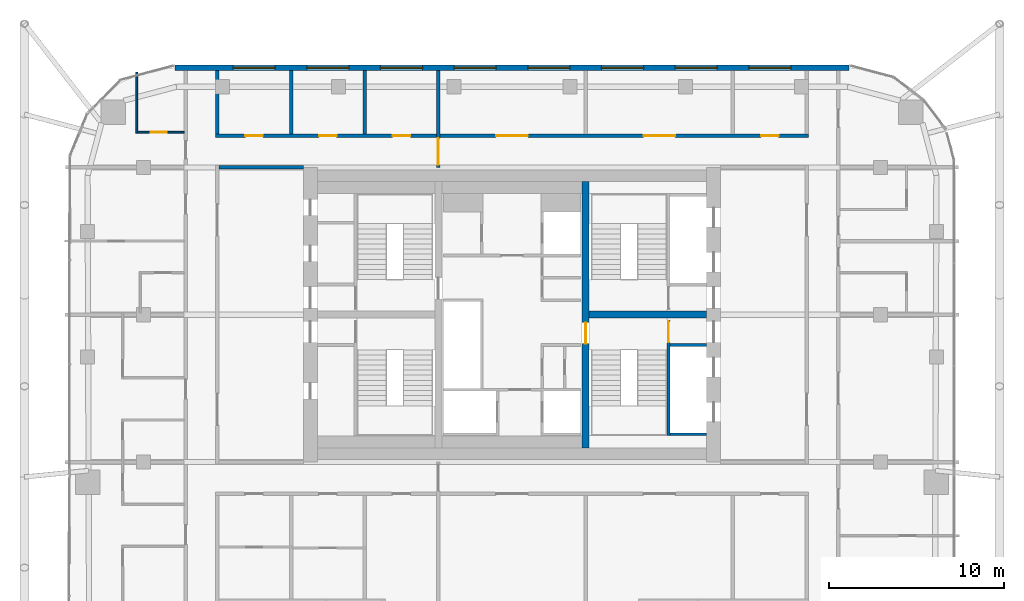
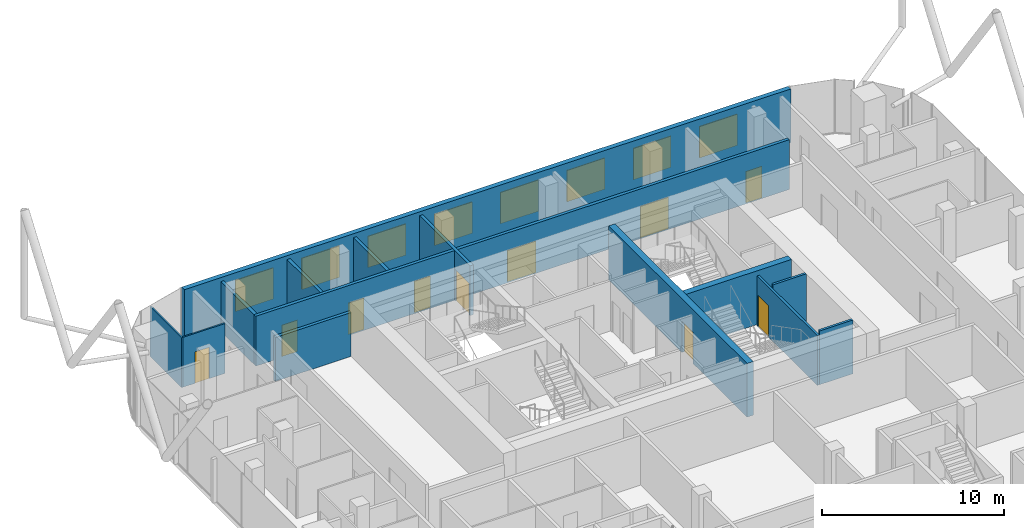
# One storey, part 28 of 31: 14 walls, 10 doors, 8 windows, 18 openings.
"""IFC4 building model written with IfcOpenShell, lengths in metres."""

import ifcopenshell
import ifcopenshell.guid

model = None  # the IFC model being written
_history = None  # IfcOwnerHistory: only IFC2X3 demands one
_inside = {}  # id of a spatial element -> (the spatial element, [elements in it])
_under = {}  # id of a project, library or spatial element -> (it, [spatial elements below it])
_declared = {}  # id of a project -> (the project, [libraries it declares])
_typed = {}  # id of a type object -> (the type object, [elements of that type])
_made_of = {}  # id of a material, layer set ... -> (it, [elements and type objects made of it])


def new_model(schema):
    """Start an empty IFC model of exactly this schema.

    Asked for "IFC4X3", IfcOpenShell would pick the latest addendum, in which some entities
    have other attributes; the version numbers below select the first issue.
    IFC2X3 requires an IfcOwnerHistory on every rooted entity: one is made here for all.
    """
    global model, _history
    if schema == "IFC4X3":
        model = ifcopenshell.file(schema_version=(4, 3, 0, 0))
    else:
        model = ifcopenshell.file(schema=schema)
    _inside.clear()
    _under.clear()
    _declared.clear()
    _typed.clear()
    _made_of.clear()
    _history = None
    if model.schema == "IFC2X3":
        org = make("IfcOrganization", Name="unknown")
        user = make(
            "IfcPersonAndOrganization",
            ThePerson=make("IfcPerson", FamilyName="unknown"),
            TheOrganization=org,
        )
        app = make(
            "IfcApplication",
            ApplicationDeveloper=org,
            Version="unknown",
            ApplicationFullName="unknown",
            ApplicationIdentifier="unknown",
        )
        _history = make(
            "IfcOwnerHistory",
            OwningUser=user,
            OwningApplication=app,
            ChangeAction="ADDED",
            CreationDate=0,
        )
    return model


def make(cls, **values):
    """One entity of the class cls with the attributes given. An attribute that is None is left unset."""
    return model.create_entity(
        cls, **{name: value for name, value in values.items() if value is not None}
    )


def rooted(cls, **values):
    """An entity with a GlobalId (a new one), such as an element, a storey or a relation."""
    return make(cls, GlobalId=ifcopenshell.guid.new(), OwnerHistory=_history, **values)


def si_unit(unit_type, name, prefix=None):
    """IfcSIUnit, for example si_unit("LENGTHUNIT", "METRE", prefix="MILLI")."""
    return make("IfcSIUnit", UnitType=unit_type, Prefix=prefix, Name=name)


def assignment(units):
    """IfcUnitAssignment: the units of a project."""
    return None if units is None else make("IfcUnitAssignment", Units=units)


def point(xyz):
    """IfcCartesianPoint."""
    return None if xyz is None else make("IfcCartesianPoint", Coordinates=xyz)


def direction(xyz):
    """IfcDirection."""
    return None if xyz is None else make("IfcDirection", DirectionRatios=xyz)


def frame(location, z_axis=None, x_axis=None):
    """IfcAxis2Placement3D, a coordinate frame: its origin and axes. An axis left out is left unset."""
    return make(
        "IfcAxis2Placement3D",
        Location=point(location),
        Axis=direction(z_axis),
        RefDirection=direction(x_axis),
    )


def frame_2d(location, x_axis=None):
    """IfcAxis2Placement2D, a coordinate frame in the plane: its origin and x axis."""
    return make(
        "IfcAxis2Placement2D", Location=point(location), RefDirection=direction(x_axis)
    )


def origin():
    """The frame at (0, 0, 0) with its axes left unset."""
    return frame((0.0, 0.0, 0.0))


def place(relative_to, where):
    """IfcLocalPlacement: puts the frame where relative to a parent placement (None: the world)."""
    return make(
        "IfcLocalPlacement", PlacementRelTo=relative_to, RelativePlacement=where
    )


def context(
    kind, dimensions, precision=None, world=None, true_north=None, identifier=None
):
    """IfcGeometricRepresentationContext, for example the 3D "Model" context."""
    return make(
        "IfcGeometricRepresentationContext",
        ContextIdentifier=identifier,
        ContextType=kind,
        CoordinateSpaceDimension=dimensions,
        Precision=precision,
        WorldCoordinateSystem=world,
        TrueNorth=true_north,
    )


def subcontext(parent, identifier, kind, view, scale=None):
    """IfcGeometricRepresentationSubContext, for example "Body" below "Model"."""
    return make(
        "IfcGeometricRepresentationSubContext",
        ContextIdentifier=identifier,
        ContextType=kind,
        ParentContext=parent,
        TargetScale=scale,
        TargetView=view,
    )


def project(units=None, contexts=None):
    """IfcProject with its units and contexts."""
    return rooted(
        "IfcProject",
        Name="project",
        RepresentationContexts=contexts,
        UnitsInContext=assignment(units),
    )


def spatial(cls, under=None, at=None, **own):
    """A site, building, storey or space (cls), placed at a placement, below another one or the project."""
    s = rooted(cls, ObjectPlacement=at, **own)
    if under is not None:
        _under.setdefault(under.id(), (under, []))[1].append(s)
    return s


def profile(cls, at=None, kind="AREA", **sizes):
    """A parametric profile (cls). Its sizes go by their IFC names, for example OverallWidth=200.0."""
    return make(cls, ProfileType=kind, Position=at, **sizes)


def rectangle(**sizes):
    """IfcRectangleProfileDef."""
    return profile("IfcRectangleProfileDef", **sizes)


def extrude(swept, where, along, depth):
    """IfcExtrudedAreaSolid: the profile swept, set in the frame where, extruded along a direction by depth."""
    return make(
        "IfcExtrudedAreaSolid",
        SweptArea=swept,
        Position=where,
        ExtrudedDirection=direction(along),
        Depth=depth,
    )


def shape(context_of_items, identifier, shape_type, items):
    """IfcShapeRepresentation: the items that make up one representation, for example the "Body"."""
    return make(
        "IfcShapeRepresentation",
        ContextOfItems=context_of_items,
        RepresentationIdentifier=identifier,
        RepresentationType=shape_type,
        Items=items,
    )


def material(Name=None, Category=None):
    """IfcMaterial."""
    return make("IfcMaterial", Name=Name, Category=Category)


def layer(
    of_material, thickness, ventilated=None, Name=None, Category=None, Priority=None
):
    """IfcMaterialLayer: one layer of a wall or slab, of a material (None: an air gap)."""
    return make(
        "IfcMaterialLayer",
        Material=of_material,
        LayerThickness=thickness,
        IsVentilated=ventilated,
        Name=Name,
        Category=Category,
        Priority=Priority,
    )


def layer_set(layers, Name=None):
    """IfcMaterialLayerSet."""
    return make("IfcMaterialLayerSet", MaterialLayers=layers, LayerSetName=Name)


def made_of(thing, what):
    """Note that an element or type object is made of a material, layer set ...; save() writes the relation."""
    if what is not None:
        _made_of.setdefault(what.id(), (what, []))[1].append(thing)
    return thing


def type_object(cls, material=None, **own):
    """A type object (cls), such as IfcWallType, which elements share."""
    return made_of(rooted(cls, **own), material)


def element(
    cls,
    number,
    at=None,
    inside=None,
    cuts=None,
    type_object=None,
    material=None,
    context=None,
    identifier="Body",
    shape_type=None,
    held_by="IfcProductDefinitionShape",
    body=None,
    shapes=None,
    **own,
):
    """One element of the class cls, such as IfcWall. Its Tag is "e" and its number.

    at: its placement. inside: the storey or other place that contains it. cuts: it is an
    opening in that element (IfcRelVoidsElement). A single representation is given by context,
    identifier, shape_type and body (its items); several are given by shapes. held_by: the class
    of the entity that holds the representations. save() writes the other relations.
    """
    e = rooted(cls, Tag="e%d" % number, ObjectPlacement=at, **own)
    if body is not None:
        shapes = [shape(context, identifier, shape_type, body)]
    if shapes is not None:
        e.Representation = make(held_by, Representations=shapes)
    if inside is not None:
        _inside.setdefault(inside.id(), (inside, []))[1].append(e)
    if cuts is not None:
        rooted(
            "IfcRelVoidsElement", RelatingBuildingElement=cuts, RelatedOpeningElement=e
        )
    if type_object is not None:
        _typed.setdefault(type_object.id(), (type_object, []))[1].append(e)
    return made_of(e, material)


def fill(opening, filler):
    """IfcRelFillsElement: the door or window that sits in an opening."""
    return rooted(
        "IfcRelFillsElement",
        RelatingOpeningElement=opening,
        RelatedBuildingElement=filler,
    )


def aggregate(whole, parts):
    """IfcRelAggregates: a whole, such as a stair, and the parts it consists of."""
    return rooted("IfcRelAggregates", RelatingObject=whole, RelatedObjects=parts)


def save(model, path):
    """Write the relations noted so far, then the file.

    IfcRelAggregates (storeys below a building ...), IfcRelContainedInSpatialStructure (elements
    in a storey), IfcRelDefinesByType, IfcRelAssociatesMaterial and IfcRelDeclares: one each for
    every whole, place, type object, material and project.
    """
    for whole, parts in _under.values():
        aggregate(whole, parts)
    for where, things in _inside.values():
        rooted(
            "IfcRelContainedInSpatialStructure",
            RelatedElements=things,
            RelatingStructure=where,
        )
    for kind, things in _typed.values():
        rooted("IfcRelDefinesByType", RelatedObjects=things, RelatingType=kind)
    for what, things in _made_of.values():
        rooted("IfcRelAssociatesMaterial", RelatedObjects=things, RelatingMaterial=what)
    for by, libraries in _declared.values():
        rooted("IfcRelDeclares", RelatingContext=by, RelatedDefinitions=libraries)
    model.write(path)


model = new_model("IFC4")

# Units and contexts
model_context = context("Model", 3, precision=1e-05, world=origin(), true_north=direction((0.0, 1.0)))
body_context = subcontext(model_context, "Body", "Model", "MODEL_VIEW")
ifc_project = project(units=[si_unit("LENGTHUNIT", "METRE"), si_unit("AREAUNIT", "SQUARE_METRE"), si_unit("VOLUMEUNIT", "CUBIC_METRE"), si_unit("PLANEANGLEUNIT", "RADIAN"), si_unit("MASSUNIT", "GRAM", prefix="KILO")], contexts=[model_context])

# Site, building, storey
site_placement = place(None, origin())
site = spatial("IfcSite", under=ifc_project, at=site_placement, CompositionType="ELEMENT")
building_placement = place(site_placement, origin())
building = spatial("IfcBuilding", under=site, at=building_placement, Name="Marenta Gate Hotel Tower", CompositionType="ELEMENT")
storey_placement = place(building_placement, frame((0.0, 0.0, 205.699951171875)))
storey = spatial("IfcBuildingStorey", under=building, at=storey_placement, Name="L47", CompositionType="ELEMENT", Elevation=205.699951171875)

# Wall, openings, windows
ifc_material_1 = material(Name="Concrete C40 board-marked", Category="concrete")
ifc_layer_1 = layer(ifc_material_1, 0.300048828125)
ifc_layer_set_1 = layer_set([ifc_layer_1], Name="Concrete C40 board-marked")
wall_type_1 = type_object("IfcWallType", Name="Board-marked concrete wall 300 mm", PredefinedType="NOTDEFINED", material=ifc_layer_set_1)
wall_1_placement = place(storey_placement, frame((19.205810546875, 22.489990234375, 0.0), z_axis=(0.0, 0.0, 1.0), x_axis=(-1.0, 0.0, 0.0)))
wall_1 = element("IfcWall", 1, at=wall_1_placement, inside=storey, type_object=wall_type_1, Name="L47-CLD-N00", PredefinedType="NOTDEFINED", context=body_context, shape_type="SweptSolid", body=[
    extrude(rectangle(XDim=38.41162109375, YDim=0.300048828125, at=frame_2d((19.205810546875, 0.0))), origin(), (0.0, 0.0, 1.0), 3.60009765625),
])
opening_1_placement = place(wall_1_placement, frame((3.305908203125, 0.0, 0.89990234375)))
opening_1 = element("IfcOpeningElement", 2, at=opening_1_placement, cuts=wall_1, Name="Opening W1", PredefinedType="OPENING", context=body_context, shape_type="SweptSolid", body=[
    extrude(rectangle(XDim=2.39990234375, YDim=2.10009765625, at=frame_2d((1.199951171875, 1.050048828125))), frame((0.0, 0.14990234375, 0.0), z_axis=(0.0, -1.0, 0.0), x_axis=(1.0, 0.0, 0.0)), (0.0, 0.0, 1.0), 0.300048828125),
])
opening_2_placement = place(wall_1_placement, frame((7.505859375, 0.0, 0.89990234375)))
opening_2 = element("IfcOpeningElement", 3, at=opening_2_placement, cuts=wall_1, Name="Opening W1", PredefinedType="OPENING", context=body_context, shape_type="SweptSolid", body=[
    extrude(rectangle(XDim=2.39990234375, YDim=2.10009765625, at=frame_2d((1.199951171875, 1.050048828125))), frame((0.0, 0.14990234375, 0.0), z_axis=(0.0, -1.0, 0.0), x_axis=(1.0, 0.0, 0.0)), (0.0, 0.0, 1.0), 0.300048828125),
])
opening_3_placement = place(wall_1_placement, frame((11.705810546875, 0.0, 0.89990234375)))
opening_3 = element("IfcOpeningElement", 4, at=opening_3_placement, cuts=wall_1, Name="Opening W1", PredefinedType="OPENING", context=body_context, shape_type="SweptSolid", body=[
    extrude(rectangle(XDim=2.39990234375, YDim=2.10009765625, at=frame_2d((1.199951171875, 1.050048828125))), frame((0.0, 0.14990234375, 0.0), z_axis=(0.0, -1.0, 0.0), x_axis=(1.0, 0.0, 0.0)), (0.0, 0.0, 1.0), 0.300048828125),
])
opening_4_placement = place(wall_1_placement, frame((15.906005859375, 0.0, 0.89990234375)))
opening_4 = element("IfcOpeningElement", 5, at=opening_4_placement, cuts=wall_1, Name="Opening W1", PredefinedType="OPENING", context=body_context, shape_type="SweptSolid", body=[
    extrude(rectangle(XDim=2.39990234375, YDim=2.10009765625, at=frame_2d((1.199951171875, 1.050048828125))), frame((0.0, 0.14990234375, 0.0), z_axis=(0.0, -1.0, 0.0), x_axis=(1.0, 0.0, 0.0)), (0.0, 0.0, 1.0), 0.300048828125),
])
opening_5_placement = place(wall_1_placement, frame((20.10595703125, 0.0, 0.89990234375)))
opening_5 = element("IfcOpeningElement", 6, at=opening_5_placement, cuts=wall_1, Name="Opening W1", PredefinedType="OPENING", context=body_context, shape_type="SweptSolid", body=[
    extrude(rectangle(XDim=2.39990234375, YDim=2.10009765625, at=frame_2d((1.199951171875, 1.050048828125))), frame((0.0, 0.14990234375, 0.0), z_axis=(0.0, -1.0, 0.0), x_axis=(1.0, 0.0, 0.0)), (0.0, 0.0, 1.0), 0.300048828125),
])
opening_6_placement = place(wall_1_placement, frame((24.305908203125, 0.0, 0.89990234375)))
opening_6 = element("IfcOpeningElement", 7, at=opening_6_placement, cuts=wall_1, Name="Opening W1", PredefinedType="OPENING", context=body_context, shape_type="SweptSolid", body=[
    extrude(rectangle(XDim=2.39990234375, YDim=2.10009765625, at=frame_2d((1.199951171875, 1.050048828125))), frame((0.0, 0.14990234375, 0.0), z_axis=(0.0, -1.0, 0.0), x_axis=(1.0, 0.0, 0.0)), (0.0, 0.0, 1.0), 0.300048828125),
])
opening_7_placement = place(wall_1_placement, frame((28.505859375, 0.0, 0.89990234375)))
opening_7 = element("IfcOpeningElement", 8, at=opening_7_placement, cuts=wall_1, Name="Opening W1", PredefinedType="OPENING", context=body_context, shape_type="SweptSolid", body=[
    extrude(rectangle(XDim=2.39990234375, YDim=2.10009765625, at=frame_2d((1.199951171875, 1.050048828125))), frame((0.0, 0.14990234375, 0.0), z_axis=(0.0, -1.0, 0.0), x_axis=(1.0, 0.0, 0.0)), (0.0, 0.0, 1.0), 0.300048828125),
])
opening_8_placement = place(wall_1_placement, frame((32.705810546875, 0.0, 0.89990234375)))
opening_8 = element("IfcOpeningElement", 9, at=opening_8_placement, cuts=wall_1, Name="Opening W1", PredefinedType="OPENING", context=body_context, shape_type="SweptSolid", body=[
    extrude(rectangle(XDim=2.39990234375, YDim=2.10009765625, at=frame_2d((1.199951171875, 1.050048828125))), frame((0.0, 0.14990234375, 0.0), z_axis=(0.0, -1.0, 0.0), x_axis=(1.0, 0.0, 0.0)), (0.0, 0.0, 1.0), 0.300048828125),
])
ifc_material_2 = material(Name="Tinted insulated glass in bronze anodised frame", Category="glass")
window_type = type_object("IfcWindowType", Name="Window W1 2400x2100 bronze frame", PartitioningType="SINGLE_PANEL", PredefinedType="WINDOW", material=ifc_material_2)
window_1_placement = place(opening_1_placement, origin())
window_1 = element("IfcWindow", 10, at=window_1_placement, inside=storey, type_object=window_type, Name="Window W1", OverallHeight=2.10009765625, OverallWidth=2.39990234375, PartitioningType="SINGLE_PANEL", PredefinedType="WINDOW", context=body_context, shape_type="SweptSolid", body=[
    extrude(rectangle(XDim=2.39990234375, YDim=2.10009765625, at=frame_2d((1.199951171875, 1.050048828125))), frame((0.0, 0.030029296875, 0.0), z_axis=(0.0, -1.0, 0.0), x_axis=(1.0, 0.0, 0.0)), (0.0, 0.0, 1.0), 0.06005859375),
])
fill(opening_1, window_1)
window_2_placement = place(opening_2_placement, origin())
window_2 = element("IfcWindow", 11, at=window_2_placement, inside=storey, type_object=window_type, Name="Window W1", OverallHeight=2.10009765625, OverallWidth=2.39990234375, PartitioningType="SINGLE_PANEL", PredefinedType="WINDOW", context=body_context, shape_type="SweptSolid", body=[
    extrude(rectangle(XDim=2.39990234375, YDim=2.10009765625, at=frame_2d((1.199951171875, 1.050048828125))), frame((0.0, 0.030029296875, 0.0), z_axis=(0.0, -1.0, 0.0), x_axis=(1.0, 0.0, 0.0)), (0.0, 0.0, 1.0), 0.06005859375),
])
fill(opening_2, window_2)
window_3_placement = place(opening_3_placement, origin())
window_3 = element("IfcWindow", 12, at=window_3_placement, inside=storey, type_object=window_type, Name="Window W1", OverallHeight=2.10009765625, OverallWidth=2.39990234375, PartitioningType="SINGLE_PANEL", PredefinedType="WINDOW", context=body_context, shape_type="SweptSolid", body=[
    extrude(rectangle(XDim=2.39990234375, YDim=2.10009765625, at=frame_2d((1.199951171875, 1.050048828125))), frame((0.0, 0.030029296875, 0.0), z_axis=(0.0, -1.0, 0.0), x_axis=(1.0, 0.0, 0.0)), (0.0, 0.0, 1.0), 0.06005859375),
])
fill(opening_3, window_3)
window_4_placement = place(opening_4_placement, origin())
window_4 = element("IfcWindow", 13, at=window_4_placement, inside=storey, type_object=window_type, Name="Window W1", OverallHeight=2.10009765625, OverallWidth=2.39990234375, PartitioningType="SINGLE_PANEL", PredefinedType="WINDOW", context=body_context, shape_type="SweptSolid", body=[
    extrude(rectangle(XDim=2.39990234375, YDim=2.10009765625, at=frame_2d((1.199951171875, 1.050048828125))), frame((0.0, 0.030029296875, 0.0), z_axis=(0.0, -1.0, 0.0), x_axis=(1.0, 0.0, 0.0)), (0.0, 0.0, 1.0), 0.06005859375),
])
fill(opening_4, window_4)
window_5_placement = place(opening_5_placement, origin())
window_5 = element("IfcWindow", 14, at=window_5_placement, inside=storey, type_object=window_type, Name="Window W1", OverallHeight=2.10009765625, OverallWidth=2.39990234375, PartitioningType="SINGLE_PANEL", PredefinedType="WINDOW", context=body_context, shape_type="SweptSolid", body=[
    extrude(rectangle(XDim=2.39990234375, YDim=2.10009765625, at=frame_2d((1.199951171875, 1.050048828125))), frame((0.0, 0.030029296875, 0.0), z_axis=(0.0, -1.0, 0.0), x_axis=(1.0, 0.0, 0.0)), (0.0, 0.0, 1.0), 0.06005859375),
])
fill(opening_5, window_5)
window_6_placement = place(opening_6_placement, origin())
window_6 = element("IfcWindow", 15, at=window_6_placement, inside=storey, type_object=window_type, Name="Window W1", OverallHeight=2.10009765625, OverallWidth=2.39990234375, PartitioningType="SINGLE_PANEL", PredefinedType="WINDOW", context=body_context, shape_type="SweptSolid", body=[
    extrude(rectangle(XDim=2.39990234375, YDim=2.10009765625, at=frame_2d((1.199951171875, 1.050048828125))), frame((0.0, 0.030029296875, 0.0), z_axis=(0.0, -1.0, 0.0), x_axis=(1.0, 0.0, 0.0)), (0.0, 0.0, 1.0), 0.06005859375),
])
fill(opening_6, window_6)
window_7_placement = place(opening_7_placement, origin())
window_7 = element("IfcWindow", 16, at=window_7_placement, inside=storey, type_object=window_type, Name="Window W1", OverallHeight=2.10009765625, OverallWidth=2.39990234375, PartitioningType="SINGLE_PANEL", PredefinedType="WINDOW", context=body_context, shape_type="SweptSolid", body=[
    extrude(rectangle(XDim=2.39990234375, YDim=2.10009765625, at=frame_2d((1.199951171875, 1.050048828125))), frame((0.0, 0.030029296875, 0.0), z_axis=(0.0, -1.0, 0.0), x_axis=(1.0, 0.0, 0.0)), (0.0, 0.0, 1.0), 0.06005859375),
])
fill(opening_7, window_7)
window_8_placement = place(opening_8_placement, origin())
window_8 = element("IfcWindow", 17, at=window_8_placement, inside=storey, type_object=window_type, Name="Window W1", OverallHeight=2.10009765625, OverallWidth=2.39990234375, PartitioningType="SINGLE_PANEL", PredefinedType="WINDOW", context=body_context, shape_type="SweptSolid", body=[
    extrude(rectangle(XDim=2.39990234375, YDim=2.10009765625, at=frame_2d((1.199951171875, 1.050048828125))), frame((0.0, 0.030029296875, 0.0), z_axis=(0.0, -1.0, 0.0), x_axis=(1.0, 0.0, 0.0)), (0.0, 0.0, 1.0), 0.06005859375),
])
fill(opening_8, window_8)

# Wall, opening, door
ifc_material_3 = material(Name="Concrete blockwork", Category="masonry")
ifc_layer_2 = layer(ifc_material_3, 0.199951171875)
ifc_layer_set_2 = layer_set([ifc_layer_2], Name="Concrete blockwork")
wall_type_2 = type_object("IfcWallType", Name="Compartment wall 200 REI 180", PredefinedType="PARTITIONING", material=ifc_layer_set_2)
wall_2_placement = place(storey_placement, frame((-4.199951171875, 16.800048828125, 0.0), z_axis=(0.0, 0.0, 1.0), x_axis=(0.0, 1.0, 0.0)))
wall_2 = element("IfcWall", 18, at=wall_2_placement, inside=storey, type_object=wall_type_2, Name="L47-PTN-W072", PredefinedType="PARTITIONING", context=body_context, shape_type="SweptSolid", body=[
    extrude(rectangle(XDim=5.5400390625, YDim=0.199951171875, at=frame_2d((2.77001953125, 0.0))), origin(), (0.0, 0.0, 1.0), 3.340087890625),
])
opening_9_placement = place(wall_2_placement, frame((0.14990234375, 0.0, 0.0)))
opening_9 = element("IfcOpeningElement", 19, at=opening_9_placement, cuts=wall_2, Name="Opening G16-FD1", PredefinedType="OPENING", context=body_context, shape_type="SweptSolid", body=[
    extrude(rectangle(XDim=1.5, YDim=2.10009765625, at=frame_2d((0.75, 1.050048828125))), frame((0.0, 0.10009765625, 0.0), z_axis=(0.0, -1.0, 0.0), x_axis=(1.0, 0.0, 0.0)), (0.0, 0.0, 1.0), 0.199951171875),
])
ifc_material_4 = material(Name="Hollow steel door set", Category="steel")
door_type_1 = type_object("IfcDoorType", Name="Compartment fire door 1500x2100 EI 60", OperationType="DOUBLE_DOOR_DOUBLE_SWING", PredefinedType="DOOR", material=ifc_material_4)
door_1_placement = place(opening_9_placement, origin())
door_1 = element("IfcDoor", 20, at=door_1_placement, inside=storey, type_object=door_type_1, Name="L47-PD-FD01", OperationType="DOUBLE_DOOR_DOUBLE_SWING", OverallHeight=2.10009765625, OverallWidth=1.5, PredefinedType="DOOR", context=body_context, shape_type="SweptSolid", body=[
    extrude(rectangle(XDim=1.5, YDim=2.10009765625, at=frame_2d((0.75, 1.050048828125))), frame((0.0, 0.02490234375, 0.0), z_axis=(0.0, -1.0, 0.0), x_axis=(1.0, 0.0, 0.0)), (0.0, 0.0, 1.0), 0.050048828125),
])
fill(opening_9, door_1)

# Walls
ifc_material_5 = material(Name="Concrete blockwork", Category="masonry")
ifc_layer_3 = layer(ifc_material_5, 0.199951171875)
ifc_layer_set_3 = layer_set([ifc_layer_3], Name="Concrete blockwork")
wall_type_3 = type_object("IfcWallType", Name="Core boundary wall 200 REI 180", PredefinedType="PARTITIONING", material=ifc_layer_set_3)
wall_3_placement = place(storey_placement, frame((-16.699951171875, 16.800048828125, 0.0), z_axis=(0.0, 0.0, 1.0), x_axis=(1.0, 0.0, 0.0)))
element("IfcWall", 21, at=wall_3_placement, inside=storey, type_object=wall_type_3, Name="L47-CP-EW-WN", PredefinedType="PARTITIONING", context=body_context, shape_type="SweptSolid", body=[
    extrude(rectangle(XDim=4.800048828125, YDim=0.199951171875, at=frame_2d((2.39990234375, 0.0))), origin(), (0.0, 0.0, 1.0), 2.93994140625),
])
ifc_material_6 = material(Name="Concrete C40", Category="concrete")
ifc_layer_4 = layer(ifc_material_6, 0.14990234375)
ifc_layer_set_4 = layer_set([ifc_layer_4], Name="Concrete C40")
wall_type_4 = type_object("IfcWallType", Name="Core shaft wall 150 REI 180", PredefinedType="SHEAR", material=ifc_layer_set_4)
for number, where, z_axis, x_axis, name in (
    (22, (9.0, 6.675048828125, 0.0), (0.0, 0.0, 1.0), (1.0, 0.0, 0.0), "L47-SHF-SW-ES-2"),
    (23, (9.0, 1.574951171875, 0.0), (0.0, 0.0, 1.0), (1.0, 0.0, 0.0), "L47-SHF-SW-ES-5"),
):
    element("IfcWall", number, at=place(storey_placement, frame(where, z_axis=z_axis, x_axis=x_axis)), inside=storey, type_object=wall_type_4, Name=name, PredefinedType="SHEAR", context=body_context, shape_type="SweptSolid", body=[
        extrude(rectangle(XDim=2.10009765625, YDim=0.14990234375, at=frame_2d((1.050048828125, 0.0))), origin(), (0.0, 0.0, 1.0), 3.60009765625),
    ])

# Wall, opening, door
ifc_material_7 = material(Name="Concrete C40", Category="concrete")
ifc_layer_5 = layer(ifc_material_7, 0.14990234375)
ifc_layer_set_5 = layer_set([ifc_layer_5], Name="Concrete C40")
wall_type_5 = type_object("IfcWallType", Name="Core stair enclosure wall 150 REI 180", PredefinedType="SHEAR", material=ifc_layer_set_5)
wall_4_placement = place(storey_placement, frame((8.925048828125, 1.5, 0.0), z_axis=(0.0, 0.0, 1.0), x_axis=(0.0, 1.0, 0.0)))
wall_4 = element("IfcWall", 24, at=wall_4_placement, inside=storey, type_object=wall_type_5, Name="L47-SHF-SW-ES-3", PredefinedType="SHEAR", context=body_context, shape_type="SweptSolid", body=[
    extrude(rectangle(XDim=6.60009765625, YDim=0.14990234375, at=frame_2d((3.300048828125, 0.0))), origin(), (0.0, 0.0, 1.0), 3.340087890625),
])
opening_10_placement = place(wall_4_placement, frame((5.324951171875, 0.0, 0.0)))
opening_10 = element("IfcOpeningElement", 25, at=opening_10_placement, cuts=wall_4, Name="Opening SD-ES", PredefinedType="OPENING", context=body_context, shape_type="SweptSolid", body=[
    extrude(rectangle(XDim=1.199951171875, YDim=2.10009765625, at=frame_2d((0.60009765625, 1.050048828125))), frame((0.0, 0.074951171875, 0.0), z_axis=(0.0, -1.0, 0.0), x_axis=(1.0, 0.0, 0.0)), (0.0, 0.0, 1.0), 0.14990234375),
])
ifc_material_8 = material(Name="Steel", Category="steel")
door_type_2 = type_object("IfcDoorType", Name="Core stair door 1200x2100 FD60", OperationType="SINGLE_SWING_LEFT", PredefinedType="DOOR", material=ifc_material_8)
door_2_placement = place(opening_10_placement, origin())
door_2 = element("IfcDoor", 26, at=door_2_placement, inside=storey, type_object=door_type_2, Name="SD-ES", OperationType="SINGLE_SWING_LEFT", OverallHeight=2.10009765625, OverallWidth=1.199951171875, PredefinedType="DOOR", context=body_context, shape_type="SweptSolid", body=[
    extrude(rectangle(XDim=1.199951171875, YDim=2.10009765625, at=frame_2d((0.60009765625, 1.050048828125))), frame((0.0, 0.02490234375, 0.0), z_axis=(0.0, -1.0, 0.0), x_axis=(1.0, 0.0, 0.0)), (0.0, 0.0, 1.0), 0.050048828125),
])
fill(opening_10, door_2)

ifc_material_9 = material(Name="Concrete C60", Category="concrete")
ifc_layer_6 = layer(ifc_material_9, 0.39990234375)
ifc_layer_set_6 = layer_set([ifc_layer_6], Name="Concrete C60")
wall_type_6 = type_object("IfcWallType", Name="Core web 400 C60", PredefinedType="SHEAR", material=ifc_layer_set_6)
wall_5_placement = place(storey_placement, frame((4.199951171875, 0.800048828125, 0.0), z_axis=(0.0, 0.0, 1.0), x_axis=(0.0, 1.0, 0.0)))
wall_5 = element("IfcWall", 27, at=wall_5_placement, inside=storey, type_object=wall_type_6, Name="L47-CORE-W2", PredefinedType="SHEAR", context=body_context, shape_type="SweptSolid", body=[
    extrude(rectangle(XDim=15.199951171875, YDim=0.39990234375, at=frame_2d((7.60009765625, 0.0))), origin(), (0.0, 0.0, 1.0), 3.60009765625),
])
opening_11_placement = place(wall_5_placement, frame((5.949951171875, 0.0, 0.0)))
opening_11 = element("IfcOpeningElement", 28, at=opening_11_placement, cuts=wall_5, Name="Opening WD-E", PredefinedType="OPENING", context=body_context, shape_type="SweptSolid", body=[
    extrude(rectangle(XDim=1.199951171875, YDim=2.10009765625, at=frame_2d((0.60009765625, 1.050048828125))), frame((0.0, 0.199951171875, 0.0), z_axis=(0.0, -1.0, 0.0), x_axis=(1.0, 0.0, 0.0)), (0.0, 0.0, 1.0), 0.39990234375),
])
door_3_placement = place(opening_11_placement, origin())
door_3 = element("IfcDoor", 29, at=door_3_placement, inside=storey, type_object=door_type_2, Name="WD-E", OperationType="SINGLE_SWING_LEFT", OverallHeight=2.10009765625, OverallWidth=1.199951171875, PredefinedType="DOOR", context=body_context, shape_type="SweptSolid", body=[
    extrude(rectangle(XDim=1.199951171875, YDim=2.10009765625, at=frame_2d((0.60009765625, 1.050048828125))), frame((0.0, 0.02490234375, 0.0), z_axis=(0.0, -1.0, 0.0), x_axis=(1.0, 0.0, 0.0)), (0.0, 0.0, 1.0), 0.050048828125),
])
fill(opening_11, door_3)

# Walls
wall_6_placement = place(storey_placement, frame((4.39990234375, 8.39990234375, 0.0), z_axis=(0.0, 0.0, 1.0), x_axis=(1.0, 0.0, 0.0)))
element("IfcWall", 30, at=wall_6_placement, inside=storey, type_object=wall_type_6, Name="L47-CORE-W4", PredefinedType="SHEAR", context=body_context, shape_type="SweptSolid", body=[
    extrude(rectangle(XDim=6.7001953125, YDim=0.39990234375, at=frame_2d((3.35009765625, 0.0))), origin(), (0.0, 0.0, 1.0), 3.60009765625),
])
ifc_material_10 = material(Name="Gypsum board on steel stud", Category="steel")
ifc_layer_7 = layer(ifc_material_10, 0.199951171875)
ifc_layer_set_7 = layer_set([ifc_layer_7], Name="Gypsum board on steel stud")
wall_type_7 = type_object("IfcWallType", Name="Room corridor wall 200 EI 60", PredefinedType="PARTITIONING", material=ifc_layer_set_7)
wall_7_placement = place(storey_placement, frame((-16.800048828125, 18.699951171875, 0.0), z_axis=(0.0, 0.0, 1.0), x_axis=(0.0, 1.0, 0.0)))
element("IfcWall", 31, at=wall_7_placement, inside=storey, type_object=wall_type_7, Name="L47-PTN-W096", PredefinedType="PARTITIONING", context=body_context, shape_type="SweptSolid", body=[
    extrude(rectangle(XDim=3.64013671875, YDim=0.199951171875, at=frame_2d((1.820068359375, 0.0))), origin(), (0.0, 0.0, 1.0), 3.340087890625),
])

# Wall, openings, doors
wall_8_placement = place(storey_placement, frame((-16.89990234375, 18.60009765625, 0.0), z_axis=(0.0, 0.0, 1.0), x_axis=(1.0, 0.0, 0.0)))
wall_8 = element("IfcWall", 32, at=wall_8_placement, inside=storey, type_object=wall_type_7, Name="L47-PTN-W100", PredefinedType="PARTITIONING", context=body_context, shape_type="SweptSolid", body=[
    extrude(rectangle(XDim=33.7998046875, YDim=0.199951171875, at=frame_2d((16.89990234375, 0.0))), origin(), (0.0, 0.0, 1.0), 3.340087890625),
])
opening_12_placement = place(wall_8_placement, frame((1.699951171875, 0.0, 0.0)))
opening_12 = element("IfcOpeningElement", 33, at=opening_12_placement, cuts=wall_8, Name="Opening G16-29", PredefinedType="OPENING", context=body_context, shape_type="SweptSolid", body=[
    extrude(rectangle(XDim=1.0, YDim=2.10009765625, at=frame_2d((0.5, 1.050048828125))), frame((0.0, 0.10009765625, 0.0), z_axis=(0.0, -1.0, 0.0), x_axis=(1.0, 0.0, 0.0)), (0.0, 0.0, 1.0), 0.199951171875),
])
opening_13_placement = place(wall_8_placement, frame((16.0, 0.0, 0.0)))
opening_13 = element("IfcOpeningElement", 34, at=opening_13_placement, cuts=wall_8, Name="Opening G16-30", PredefinedType="OPENING", context=body_context, shape_type="SweptSolid", body=[
    extrude(rectangle(XDim=1.800048828125, YDim=2.10009765625, at=frame_2d((0.89990234375, 1.050048828125))), frame((0.0, 0.10009765625, 0.0), z_axis=(0.0, -1.0, 0.0), x_axis=(1.0, 0.0, 0.0)), (0.0, 0.0, 1.0), 0.199951171875),
])
opening_14_placement = place(wall_8_placement, frame((24.39990234375, 0.0, 0.0)))
opening_14 = element("IfcOpeningElement", 35, at=opening_14_placement, cuts=wall_8, Name="Opening G16-31", PredefinedType="OPENING", context=body_context, shape_type="SweptSolid", body=[
    extrude(rectangle(XDim=1.800048828125, YDim=2.10009765625, at=frame_2d((0.89990234375, 1.050048828125))), frame((0.0, 0.10009765625, 0.0), z_axis=(0.0, -1.0, 0.0), x_axis=(1.0, 0.0, 0.0)), (0.0, 0.0, 1.0), 0.199951171875),
])
opening_15_placement = place(wall_8_placement, frame((31.10009765625, 0.0, 0.0)))
opening_15 = element("IfcOpeningElement", 36, at=opening_15_placement, cuts=wall_8, Name="Opening G16-32", PredefinedType="OPENING", context=body_context, shape_type="SweptSolid", body=[
    extrude(rectangle(XDim=1.0, YDim=2.10009765625, at=frame_2d((0.5, 1.050048828125))), frame((0.0, 0.10009765625, 0.0), z_axis=(0.0, -1.0, 0.0), x_axis=(1.0, 0.0, 0.0)), (0.0, 0.0, 1.0), 0.199951171875),
])
opening_16_placement = place(wall_8_placement, frame((5.89990234375, 0.0, 0.0)))
opening_16 = element("IfcOpeningElement", 37, at=opening_16_placement, cuts=wall_8, Name="Opening G16-66", PredefinedType="OPENING", context=body_context, shape_type="SweptSolid", body=[
    extrude(rectangle(XDim=1.0, YDim=2.10009765625, at=frame_2d((0.5, 1.050048828125))), frame((0.0, 0.10009765625, 0.0), z_axis=(0.0, -1.0, 0.0), x_axis=(1.0, 0.0, 0.0)), (0.0, 0.0, 1.0), 0.199951171875),
])
opening_17_placement = place(wall_8_placement, frame((10.10009765625, 0.0, 0.0)))
opening_17 = element("IfcOpeningElement", 38, at=opening_17_placement, cuts=wall_8, Name="Opening G16-67", PredefinedType="OPENING", context=body_context, shape_type="SweptSolid", body=[
    extrude(rectangle(XDim=1.0, YDim=2.10009765625, at=frame_2d((0.5, 1.050048828125))), frame((0.0, 0.10009765625, 0.0), z_axis=(0.0, -1.0, 0.0), x_axis=(1.0, 0.0, 0.0)), (0.0, 0.0, 1.0), 0.199951171875),
])
ifc_material_11 = material(Name="Timber door leaf", Category="wood")
door_type_3 = type_object("IfcDoorType", Name="Room amenity door 1000x2100 EI 30", OperationType="NOTDEFINED", PredefinedType="DOOR", material=ifc_material_11)
door_4_placement = place(opening_12_placement, origin())
door_4 = element("IfcDoor", 39, at=door_4_placement, inside=storey, type_object=door_type_3, Name="L47-PD-D029", OperationType="SINGLE_SWING_LEFT", OverallHeight=2.10009765625, OverallWidth=1.0, PredefinedType="DOOR", context=body_context, shape_type="SweptSolid", body=[
    extrude(rectangle(XDim=1.0, YDim=2.10009765625, at=frame_2d((0.5, 1.050048828125))), frame((0.0, 0.02490234375, 0.0), z_axis=(0.0, -1.0, 0.0), x_axis=(1.0, 0.0, 0.0)), (0.0, 0.0, 1.0), 0.050048828125),
])
fill(opening_12, door_4)
door_5_placement = place(opening_15_placement, origin())
door_5 = element("IfcDoor", 40, at=door_5_placement, inside=storey, type_object=door_type_3, Name="L47-PD-D032", OperationType="SINGLE_SWING_RIGHT", OverallHeight=2.10009765625, OverallWidth=1.0, PredefinedType="DOOR", context=body_context, shape_type="SweptSolid", body=[
    extrude(rectangle(XDim=1.0, YDim=2.10009765625, at=frame_2d((0.5, 1.050048828125))), frame((0.0, 0.02490234375, 0.0), z_axis=(0.0, -1.0, 0.0), x_axis=(1.0, 0.0, 0.0)), (0.0, 0.0, 1.0), 0.050048828125),
])
fill(opening_15, door_5)
door_6_placement = place(opening_16_placement, origin())
door_6 = element("IfcDoor", 41, at=door_6_placement, inside=storey, type_object=door_type_3, Name="L47-PD-D066", OperationType="SINGLE_SWING_RIGHT", OverallHeight=2.10009765625, OverallWidth=1.0, PredefinedType="DOOR", context=body_context, shape_type="SweptSolid", body=[
    extrude(rectangle(XDim=1.0, YDim=2.10009765625, at=frame_2d((0.5, 1.050048828125))), frame((0.0, 0.02490234375, 0.0), z_axis=(0.0, -1.0, 0.0), x_axis=(1.0, 0.0, 0.0)), (0.0, 0.0, 1.0), 0.050048828125),
])
fill(opening_16, door_6)
door_7_placement = place(opening_17_placement, origin())
door_7 = element("IfcDoor", 42, at=door_7_placement, inside=storey, type_object=door_type_3, Name="L47-PD-D067", OperationType="SINGLE_SWING_LEFT", OverallHeight=2.10009765625, OverallWidth=1.0, PredefinedType="DOOR", context=body_context, shape_type="SweptSolid", body=[
    extrude(rectangle(XDim=1.0, YDim=2.10009765625, at=frame_2d((0.5, 1.050048828125))), frame((0.0, 0.02490234375, 0.0), z_axis=(0.0, -1.0, 0.0), x_axis=(1.0, 0.0, 0.0)), (0.0, 0.0, 1.0), 0.050048828125),
])
fill(opening_17, door_7)
ifc_material_12 = material(Name="Timber door leaf", Category="wood")
door_type_4 = type_object("IfcDoorType", Name="Room amenity door 1800x2100 EI 30", OperationType="DOUBLE_DOOR_SINGLE_SWING", PredefinedType="DOOR", material=ifc_material_12)
door_8_placement = place(opening_13_placement, origin())
door_8 = element("IfcDoor", 43, at=door_8_placement, inside=storey, type_object=door_type_4, Name="L47-PD-D030", OperationType="DOUBLE_DOOR_SINGLE_SWING", OverallHeight=2.10009765625, OverallWidth=1.800048828125, PredefinedType="DOOR", context=body_context, shape_type="SweptSolid", body=[
    extrude(rectangle(XDim=1.800048828125, YDim=2.10009765625, at=frame_2d((0.89990234375, 1.050048828125))), frame((0.0, 0.02490234375, 0.0), z_axis=(0.0, -1.0, 0.0), x_axis=(1.0, 0.0, 0.0)), (0.0, 0.0, 1.0), 0.050048828125),
])
fill(opening_13, door_8)
door_9_placement = place(opening_14_placement, origin())
door_9 = element("IfcDoor", 44, at=door_9_placement, inside=storey, type_object=door_type_4, Name="L47-PD-D031", OperationType="DOUBLE_DOOR_SINGLE_SWING", OverallHeight=2.10009765625, OverallWidth=1.800048828125, PredefinedType="DOOR", context=body_context, shape_type="SweptSolid", body=[
    extrude(rectangle(XDim=1.800048828125, YDim=2.10009765625, at=frame_2d((0.89990234375, 1.050048828125))), frame((0.0, 0.02490234375, 0.0), z_axis=(0.0, -1.0, 0.0), x_axis=(1.0, 0.0, 0.0)), (0.0, 0.0, 1.0), 0.050048828125),
])
fill(opening_14, door_9)

# Wall, opening, door
ifc_material_13 = material(Name="Gypsum board on steel stud", Category="steel")
ifc_layer_8 = layer(ifc_material_13, 0.10009765625)
ifc_layer_set_8 = layer_set([ifc_layer_8], Name="Gypsum board on steel stud")
wall_type_8 = type_object("IfcWallType", Name="Room partition 100", PredefinedType="PARTITIONING", material=ifc_layer_set_8)
wall_9_placement = place(storey_placement, frame((-21.35009765625, 18.800048828125, 0.0), z_axis=(0.0, 0.0, 1.0), x_axis=(1.0, 0.0, 0.0)))
wall_9 = element("IfcWall", 45, at=wall_9_placement, inside=storey, type_object=wall_type_8, Name="L47-PTN-W101", PredefinedType="PARTITIONING", context=body_context, shape_type="SweptSolid", body=[
    extrude(rectangle(XDim=2.650146484375, YDim=0.10009765625, at=frame_2d((1.3251953125, 0.0))), origin(), (0.0, 0.0, 1.0), 3.340087890625),
])
opening_18_placement = place(wall_9_placement, frame((0.760009765625, 0.0, 0.0)))
opening_18 = element("IfcOpeningElement", 46, at=opening_18_placement, cuts=wall_9, Name="Opening G16-63", PredefinedType="OPENING", context=body_context, shape_type="SweptSolid", body=[
    extrude(rectangle(XDim=0.89990234375, YDim=2.10009765625, at=frame_2d((0.449951171875, 1.050048828125))), frame((0.0, 0.050048828125, 0.0), z_axis=(0.0, -1.0, 0.0), x_axis=(1.0, 0.0, 0.0)), (0.0, 0.0, 1.0), 0.10009765625),
])
ifc_material_14 = material(Name="Timber door leaf", Category="wood")
door_type_5 = type_object("IfcDoorType", Name="Guest bathroom door 900x2100", OperationType="NOTDEFINED", PredefinedType="DOOR", material=ifc_material_14)
door_10_placement = place(opening_18_placement, origin())
door_10 = element("IfcDoor", 47, at=door_10_placement, inside=storey, type_object=door_type_5, Name="L47-PD-D063", OperationType="SINGLE_SWING_LEFT", OverallHeight=2.10009765625, OverallWidth=0.89990234375, PredefinedType="DOOR", context=body_context, shape_type="SweptSolid", body=[
    extrude(rectangle(XDim=0.89990234375, YDim=2.10009765625, at=frame_2d((0.449951171875, 1.050048828125))), frame((0.0, 0.02490234375, 0.0), z_axis=(0.0, -1.0, 0.0), x_axis=(1.0, 0.0, 0.0)), (0.0, 0.0, 1.0), 0.050048828125),
])
fill(opening_18, door_10)

# Walls
wall_10_placement = place(storey_placement, frame((-21.39990234375, 18.75, 0.0), z_axis=(0.0, 0.0, 1.0), x_axis=(0.0, 1.0, 0.0)))
element("IfcWall", 48, at=wall_10_placement, inside=storey, type_object=wall_type_8, Name="L47-PTN-W104", PredefinedType="PARTITIONING", context=body_context, shape_type="SweptSolid", body=[
    extrude(rectangle(XDim=3.47802734375, YDim=0.10009765625, at=frame_2d((1.739013671875, 0.0))), origin(), (0.0, 0.0, 1.0), 3.340087890625),
])
ifc_material_15 = material(Name="Gypsum board on steel stud", Category="steel")
ifc_layer_9 = layer(ifc_material_15, 0.199951171875)
ifc_layer_set_9 = layer_set([ifc_layer_9], Name="Gypsum board on steel stud")
wall_type_9 = type_object("IfcWallType", Name="Room party wall 200 EI 60", PredefinedType="PARTITIONING", material=ifc_layer_set_9)
for number, where, z_axis, x_axis, name in (
    (49, (-8.39990234375, 18.699951171875, 0.0), (0.0, 0.0, 1.0), (0.0, 1.0, 0.0), "L47-PTN-W078"),
    (50, (-12.60009765625, 18.699951171875, 0.0), (0.0, 0.0, 1.0), (0.0, 1.0, 0.0), "L47-PTN-W087"),
):
    element("IfcWall", number, at=place(storey_placement, frame(where, z_axis=z_axis, x_axis=x_axis)), inside=storey, type_object=wall_type_9, Name=name, PredefinedType="PARTITIONING", context=body_context, shape_type="SweptSolid", body=[
        extrude(rectangle(XDim=3.64013671875, YDim=0.199951171875, at=frame_2d((1.820068359375, 0.0))), origin(), (0.0, 0.0, 1.0), 3.340087890625),
    ])

save(model, "model.ifc")
